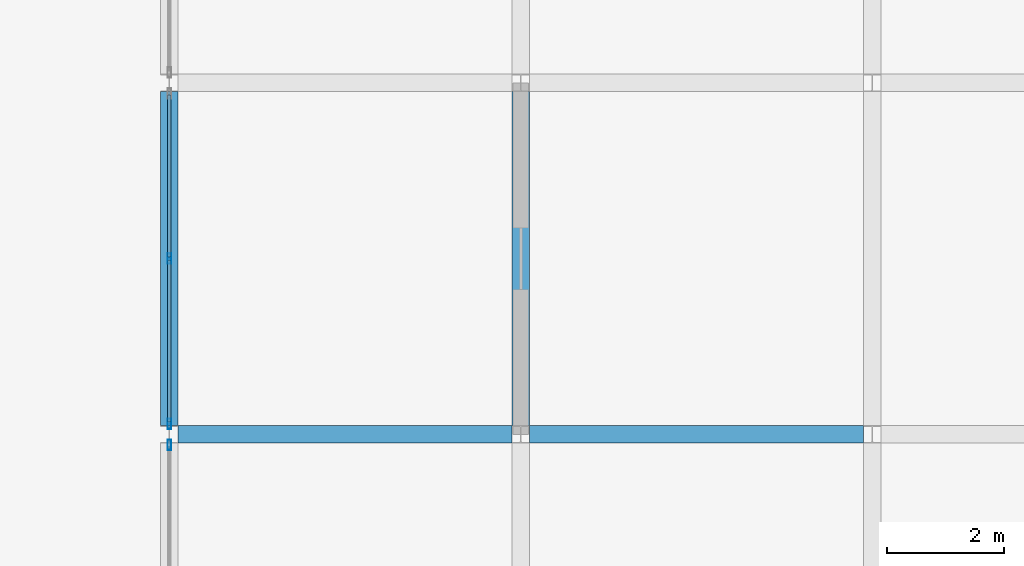
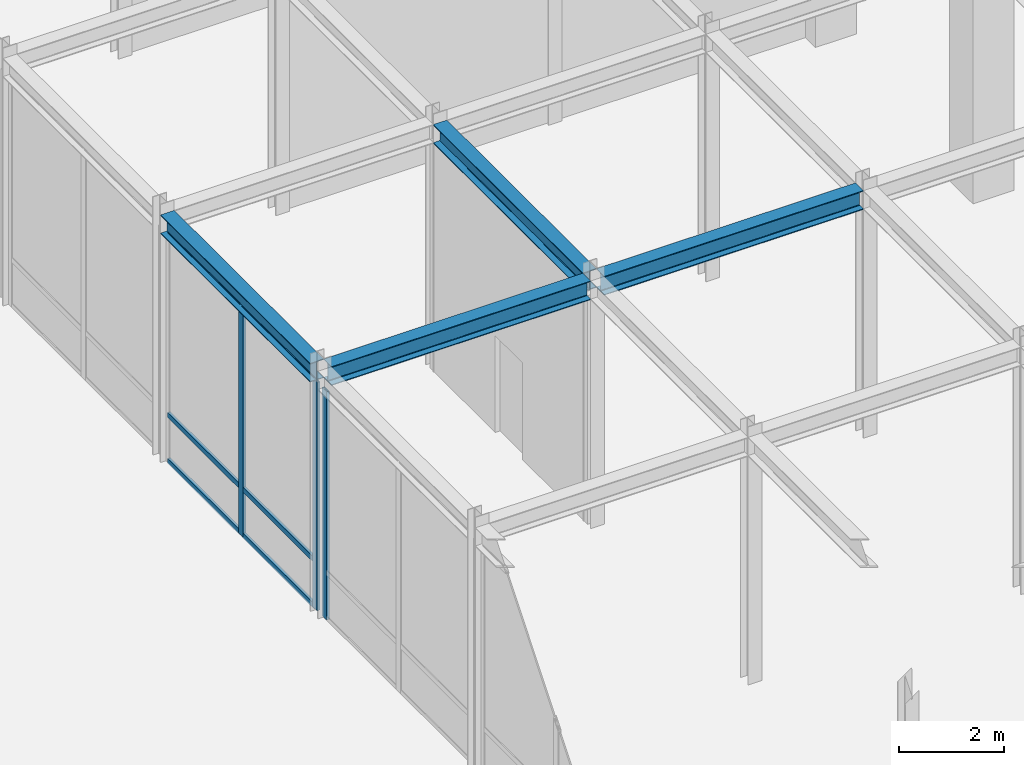
# One storey, part 48 of 108: 9 members, 4 beams, 2 elements without a shape of their own.
"""IFC4 building model written with IfcOpenShell, lengths in metres."""

from ifc_helpers import new_model, si_unit, direction, frame, origin, origin_2d, place, context, subcontext, project, spatial, hollow_rectangle, i_section, extrude, material, layer, layer_set, material_profile, profile_set, type_object, element, aggregate, save


model = new_model("IFC4")

# Units and contexts
model_context = context("Model", 3, precision=1e-05, world=origin(), true_north=direction((0.0, 1.0)))
body_context = subcontext(model_context, "Body", "Model", "MODEL_VIEW")
ifc_project = project(units=[si_unit("LENGTHUNIT", "METRE"), si_unit("AREAUNIT", "SQUARE_METRE"), si_unit("VOLUMEUNIT", "CUBIC_METRE"), si_unit("PLANEANGLEUNIT", "RADIAN"), si_unit("MASSUNIT", "GRAM", prefix="KILO")], contexts=[model_context])

# Site, building, storey
site_placement = place(None, origin())
site = spatial("IfcSite", under=ifc_project, at=site_placement, CompositionType="ELEMENT")
building_placement = place(site_placement, origin())
building = spatial("IfcBuilding", under=site, at=building_placement, Name="Zlatovratsky Civic Hall", CompositionType="ELEMENT")
storey_placement = place(building_placement, frame((0.0, 0.0, 6.0)))
storey = spatial("IfcBuildingStorey", under=building, at=storey_placement, Name="L02", CompositionType="ELEMENT", Elevation=6.0)

# Beams
ifc_material_1 = material(Name="Steel S355", Category="steel")
ifc_material_profile_1 = material_profile(ifc_material_1, i_section(OverallWidth=0.300048828125, OverallDepth=0.43994140625, WebThickness=0.010986328125, FlangeThickness=0.01806640625, FilletRadius=0.02197265625, at=origin_2d()), Name="45Sh1")
ifc_profile_set_1 = profile_set([ifc_material_profile_1], Name="Steel S355")
beam_type = type_object("IfcBeamType", Name="Beam_TowerLow_45Sh1", PredefinedType="BEAM", material=ifc_profile_set_1)
for number, where, z_axis, x_axis, name in (
    (1, (48.14990234375, 42.0, 5.5400390625), (1.0, 0.0, 0.0), (0.0, 1.0, 0.0), "BM-1819"),
    (2, (54.14990234375, 42.0, 5.5400390625), (1.0, 0.0, 0.0), (0.0, 1.0, 0.0), "BM-1820"),
    (3, (48.0, 42.14990234375, 5.5400390625), (0.0, 1.0, 0.0), (-1.0, 0.0, 0.0), "BM-2135"),
    (4, (54.0, 42.14990234375, 5.5400390625), (0.0, 1.0, 0.0), (-1.0, 0.0, 0.0), "BM-2152"),
):
    element("IfcBeam", number, at=place(storey_placement, frame(where, z_axis=z_axis, x_axis=x_axis)), inside=storey, type_object=beam_type, Name=name, PredefinedType="BEAM", context=body_context, shape_type="SweptSolid", body=[
        extrude(i_section(OverallWidth=0.300048828125, OverallDepth=0.43994140625, WebThickness=0.010986328125, FlangeThickness=0.01806640625, FilletRadius=0.02197265625, at=origin_2d()), origin(), (0.0, 0.0, 1.0), 5.7001953125),
    ])

# Curtain wall, member
ifc_material_2 = material(Name="Anodised bronze aluminium", Category="aluminium")
ifc_layer = layer(ifc_material_2, 0.159912109375)
ifc_layer_set = layer_set([ifc_layer], Name="Anodised bronze aluminium")
curtain_wall_type = type_object("IfcCurtainWallType", Name="CurtainWall_Bronze_5700x5310_06", PredefinedType="NOTDEFINED", material=ifc_layer_set)
curtain_wall_1_placement = place(storey_placement, origin())
curtain_wall_1 = element("IfcCurtainWall", 5, at=curtain_wall_1_placement, inside=storey, type_object=curtain_wall_type, Name="CW-022", PredefinedType="NOTDEFINED")
ifc_material_profile_2 = material_profile(ifc_material_2, hollow_rectangle(XDim=0.06005859375, YDim=0.179931640625, WallThickness=0.00390625, at=origin_2d()), Name="ALU 60x180x4")
ifc_profile_set_2 = profile_set([ifc_material_profile_2], Name="Anodised bronze aluminium")
member_type_1 = type_object("IfcMemberType", Name="CW_Mullion_60x180", PredefinedType="MULLION", material=ifc_profile_set_2)
member_1_placement = place(storey_placement, frame((48.0, 41.820068359375, 0.0), z_axis=(0.0, 0.0, 1.0), x_axis=(-1.0, 0.0, 0.0)))
member_1 = element("IfcMember", 6, at=member_1_placement, type_object=member_type_1, Name="CW-06 mullion 3", PredefinedType="MULLION", context=body_context, shape_type="SweptSolid", body=[
    extrude(hollow_rectangle(XDim=0.06005859375, YDim=0.179931640625, WallThickness=0.00390625, at=origin_2d()), origin(), (0.0, 0.0, 1.0), 5.31005859375),
])
aggregate(curtain_wall_1, [member_1])

# Curtain wall, members
curtain_wall_2_placement = place(storey_placement, origin())
curtain_wall_2 = element("IfcCurtainWall", 7, at=curtain_wall_2_placement, inside=storey, type_object=curtain_wall_type, Name="CW-023", PredefinedType="NOTDEFINED")
member_2_placement = place(storey_placement, frame((48.0, 42.179931640625, 0.0), z_axis=(0.0, 0.0, 1.0), x_axis=(-1.0, 0.0, 0.0)))
member_2 = element("IfcMember", 8, at=member_2_placement, type_object=member_type_1, Name="CW-06 mullion 1", PredefinedType="MULLION", context=body_context, shape_type="SweptSolid", body=[
    extrude(hollow_rectangle(XDim=0.06005859375, YDim=0.179931640625, WallThickness=0.00390625, at=origin_2d()), origin(), (0.0, 0.0, 1.0), 5.31005859375),
])
member_3_placement = place(storey_placement, frame((48.0, 45.0, 0.0), z_axis=(0.0, 0.0, 1.0), x_axis=(-1.0, 0.0, 0.0)))
member_3 = element("IfcMember", 9, at=member_3_placement, type_object=member_type_1, Name="CW-06 mullion 2", PredefinedType="MULLION", context=body_context, shape_type="SweptSolid", body=[
    extrude(hollow_rectangle(XDim=0.06005859375, YDim=0.179931640625, WallThickness=0.00390625, at=origin_2d()), origin(), (0.0, 0.0, 1.0), 5.31005859375),
])
ifc_material_profile_3 = material_profile(ifc_material_2, hollow_rectangle(XDim=0.06005859375, YDim=0.1201171875, WallThickness=0.00390625, at=origin_2d()), Name="ALU 60x120x4")
ifc_profile_set_3 = profile_set([ifc_material_profile_3], Name="Anodised bronze aluminium")
member_type_2 = type_object("IfcMemberType", Name="CW_Transom_60x120", PredefinedType="USERDEFINED", material=ifc_profile_set_3)
member_4_placement = place(storey_placement, frame((48.0, 42.2099609375, 0.030029296875), z_axis=(0.0, 1.0, 0.0), x_axis=(-1.0, 0.0, 0.0)))
member_4 = element("IfcMember", 10, at=member_4_placement, type_object=member_type_2, Name="CW-06 transom 1.1", ObjectType="TRANSOM", PredefinedType="USERDEFINED", context=body_context, shape_type="SweptSolid", body=[
    extrude(hollow_rectangle(XDim=0.06005859375, YDim=0.1201171875, WallThickness=0.00390625, at=origin_2d()), origin(), (0.0, 0.0, 1.0), 2.760009765625),
])
member_5_placement = place(storey_placement, frame((48.0, 42.2099609375, 1.10009765625), z_axis=(0.0, 1.0, 0.0), x_axis=(-1.0, 0.0, 0.0)))
member_5 = element("IfcMember", 11, at=member_5_placement, type_object=member_type_2, Name="CW-06 transom 1.2", ObjectType="TRANSOM", PredefinedType="USERDEFINED", context=body_context, shape_type="SweptSolid", body=[
    extrude(hollow_rectangle(XDim=0.06005859375, YDim=0.1201171875, WallThickness=0.00390625, at=origin_2d()), origin(), (0.0, 0.0, 1.0), 2.760009765625),
])
member_6_placement = place(storey_placement, frame((48.0, 42.2099609375, 5.280029296875), z_axis=(0.0, 1.0, 0.0), x_axis=(-1.0, 0.0, 0.0)))
member_6 = element("IfcMember", 12, at=member_6_placement, type_object=member_type_2, Name="CW-06 transom 1.3", ObjectType="TRANSOM", PredefinedType="USERDEFINED", context=body_context, shape_type="SweptSolid", body=[
    extrude(hollow_rectangle(XDim=0.06005859375, YDim=0.1201171875, WallThickness=0.00390625, at=origin_2d()), origin(), (0.0, 0.0, 1.0), 2.760009765625),
])
member_7_placement = place(storey_placement, frame((48.0, 45.030029296875, 0.030029296875), z_axis=(0.0, 1.0, 0.0), x_axis=(-1.0, 0.0, 0.0)))
member_7 = element("IfcMember", 13, at=member_7_placement, type_object=member_type_2, Name="CW-06 transom 2.1", ObjectType="TRANSOM", PredefinedType="USERDEFINED", context=body_context, shape_type="SweptSolid", body=[
    extrude(hollow_rectangle(XDim=0.06005859375, YDim=0.1201171875, WallThickness=0.00390625, at=origin_2d()), origin(), (0.0, 0.0, 1.0), 2.760009765625),
])
member_8_placement = place(storey_placement, frame((48.0, 45.030029296875, 1.10009765625), z_axis=(0.0, 1.0, 0.0), x_axis=(-1.0, 0.0, 0.0)))
member_8 = element("IfcMember", 14, at=member_8_placement, type_object=member_type_2, Name="CW-06 transom 2.2", ObjectType="TRANSOM", PredefinedType="USERDEFINED", context=body_context, shape_type="SweptSolid", body=[
    extrude(hollow_rectangle(XDim=0.06005859375, YDim=0.1201171875, WallThickness=0.00390625, at=origin_2d()), origin(), (0.0, 0.0, 1.0), 2.760009765625),
])
member_9_placement = place(storey_placement, frame((48.0, 45.030029296875, 5.280029296875), z_axis=(0.0, 1.0, 0.0), x_axis=(-1.0, 0.0, 0.0)))
member_9 = element("IfcMember", 15, at=member_9_placement, type_object=member_type_2, Name="CW-06 transom 2.3", ObjectType="TRANSOM", PredefinedType="USERDEFINED", context=body_context, shape_type="SweptSolid", body=[
    extrude(hollow_rectangle(XDim=0.06005859375, YDim=0.1201171875, WallThickness=0.00390625, at=origin_2d()), origin(), (0.0, 0.0, 1.0), 2.760009765625),
])
aggregate(curtain_wall_2, [member_2, member_3, member_4, member_5, member_6, member_7, member_8, member_9])

save(model, "model.ifc")
